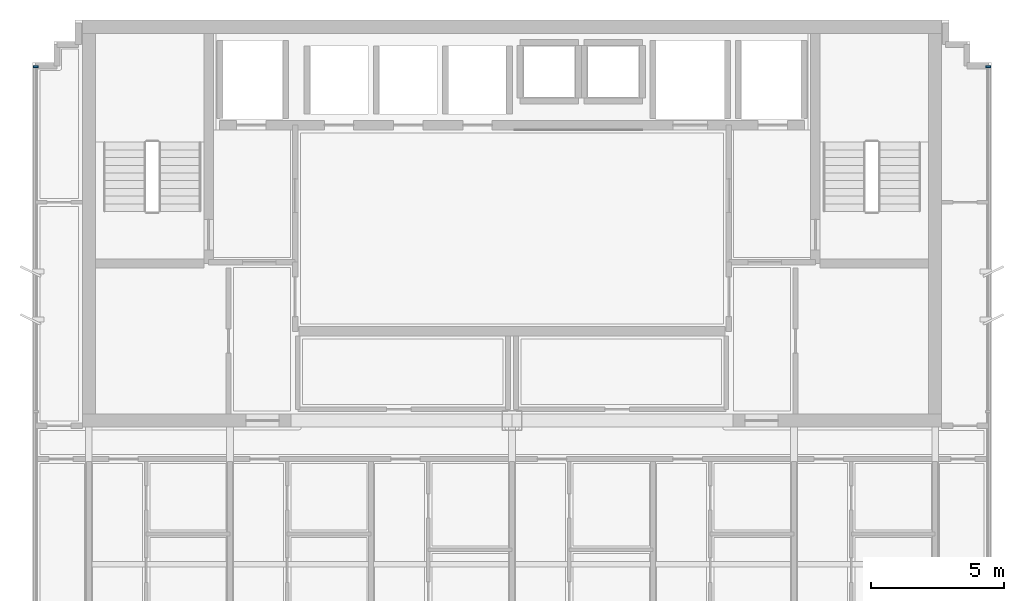
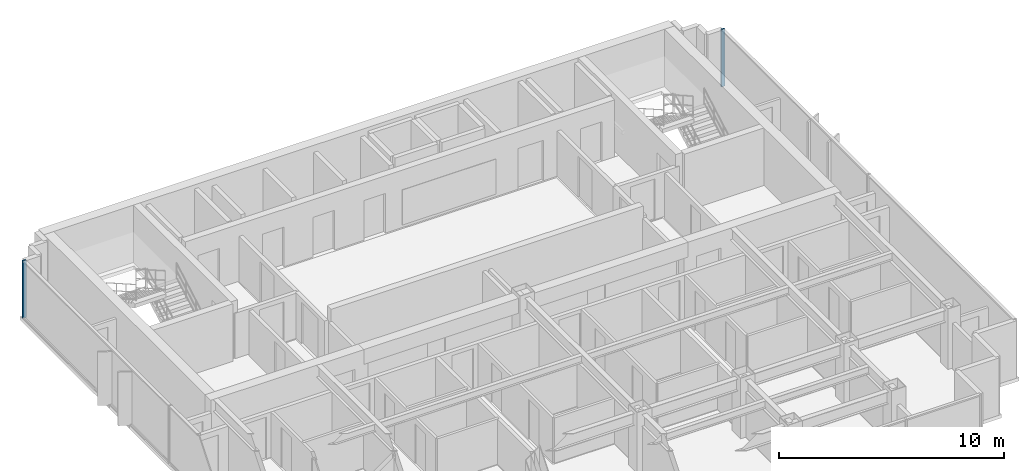
# One storey, part 4 of 10: 2 members, 2 elements without a shape of their own.
"""IFC4 building model written with IfcOpenShell, lengths in metres."""

import ifcopenshell
import ifcopenshell.guid

model = None  # the IFC model being written
_history = None  # IfcOwnerHistory: only IFC2X3 demands one
_inside = {}  # id of a spatial element -> (the spatial element, [elements in it])
_under = {}  # id of a project, library or spatial element -> (it, [spatial elements below it])
_declared = {}  # id of a project -> (the project, [libraries it declares])
_typed = {}  # id of a type object -> (the type object, [elements of that type])
_made_of = {}  # id of a material, layer set ... -> (it, [elements and type objects made of it])


def new_model(schema):
    """Start an empty IFC model of exactly this schema.

    Asked for "IFC4X3", IfcOpenShell would pick the latest addendum, in which some entities
    have other attributes; the version numbers below select the first issue.
    IFC2X3 requires an IfcOwnerHistory on every rooted entity: one is made here for all.
    """
    global model, _history
    if schema == "IFC4X3":
        model = ifcopenshell.file(schema_version=(4, 3, 0, 0))
    else:
        model = ifcopenshell.file(schema=schema)
    _inside.clear()
    _under.clear()
    _declared.clear()
    _typed.clear()
    _made_of.clear()
    _history = None
    if model.schema == "IFC2X3":
        org = make("IfcOrganization", Name="unknown")
        user = make(
            "IfcPersonAndOrganization",
            ThePerson=make("IfcPerson", FamilyName="unknown"),
            TheOrganization=org,
        )
        app = make(
            "IfcApplication",
            ApplicationDeveloper=org,
            Version="unknown",
            ApplicationFullName="unknown",
            ApplicationIdentifier="unknown",
        )
        _history = make(
            "IfcOwnerHistory",
            OwningUser=user,
            OwningApplication=app,
            ChangeAction="ADDED",
            CreationDate=0,
        )
    return model


def make(cls, **values):
    """One entity of the class cls with the attributes given. An attribute that is None is left unset."""
    return model.create_entity(
        cls, **{name: value for name, value in values.items() if value is not None}
    )


def rooted(cls, **values):
    """An entity with a GlobalId (a new one), such as an element, a storey or a relation."""
    return make(cls, GlobalId=ifcopenshell.guid.new(), OwnerHistory=_history, **values)


def si_unit(unit_type, name, prefix=None):
    """IfcSIUnit, for example si_unit("LENGTHUNIT", "METRE", prefix="MILLI")."""
    return make("IfcSIUnit", UnitType=unit_type, Prefix=prefix, Name=name)


def assignment(units):
    """IfcUnitAssignment: the units of a project."""
    return None if units is None else make("IfcUnitAssignment", Units=units)


def point(xyz):
    """IfcCartesianPoint."""
    return None if xyz is None else make("IfcCartesianPoint", Coordinates=xyz)


def direction(xyz):
    """IfcDirection."""
    return None if xyz is None else make("IfcDirection", DirectionRatios=xyz)


def frame(location, z_axis=None, x_axis=None):
    """IfcAxis2Placement3D, a coordinate frame: its origin and axes. An axis left out is left unset."""
    return make(
        "IfcAxis2Placement3D",
        Location=point(location),
        Axis=direction(z_axis),
        RefDirection=direction(x_axis),
    )


def frame_2d(location, x_axis=None):
    """IfcAxis2Placement2D, a coordinate frame in the plane: its origin and x axis."""
    return make(
        "IfcAxis2Placement2D", Location=point(location), RefDirection=direction(x_axis)
    )


def origin():
    """The frame at (0, 0, 0) with its axes left unset."""
    return frame((0.0, 0.0, 0.0))


def origin_2d():
    """The frame at (0, 0) in the plane with its x axis left unset."""
    return frame_2d((0.0, 0.0))


def place(relative_to, where):
    """IfcLocalPlacement: puts the frame where relative to a parent placement (None: the world)."""
    return make(
        "IfcLocalPlacement", PlacementRelTo=relative_to, RelativePlacement=where
    )


def context(
    kind, dimensions, precision=None, world=None, true_north=None, identifier=None
):
    """IfcGeometricRepresentationContext, for example the 3D "Model" context."""
    return make(
        "IfcGeometricRepresentationContext",
        ContextIdentifier=identifier,
        ContextType=kind,
        CoordinateSpaceDimension=dimensions,
        Precision=precision,
        WorldCoordinateSystem=world,
        TrueNorth=true_north,
    )


def subcontext(parent, identifier, kind, view, scale=None):
    """IfcGeometricRepresentationSubContext, for example "Body" below "Model"."""
    return make(
        "IfcGeometricRepresentationSubContext",
        ContextIdentifier=identifier,
        ContextType=kind,
        ParentContext=parent,
        TargetScale=scale,
        TargetView=view,
    )


def project(units=None, contexts=None):
    """IfcProject with its units and contexts."""
    return rooted(
        "IfcProject",
        Name="project",
        RepresentationContexts=contexts,
        UnitsInContext=assignment(units),
    )


def spatial(cls, under=None, at=None, **own):
    """A site, building, storey or space (cls), placed at a placement, below another one or the project."""
    s = rooted(cls, ObjectPlacement=at, **own)
    if under is not None:
        _under.setdefault(under.id(), (under, []))[1].append(s)
    return s


def profile(cls, at=None, kind="AREA", **sizes):
    """A parametric profile (cls). Its sizes go by their IFC names, for example OverallWidth=200.0."""
    return make(cls, ProfileType=kind, Position=at, **sizes)


def rectangle(**sizes):
    """IfcRectangleProfileDef."""
    return profile("IfcRectangleProfileDef", **sizes)


def extrude(swept, where, along, depth):
    """IfcExtrudedAreaSolid: the profile swept, set in the frame where, extruded along a direction by depth."""
    return make(
        "IfcExtrudedAreaSolid",
        SweptArea=swept,
        Position=where,
        ExtrudedDirection=direction(along),
        Depth=depth,
    )


def shape(context_of_items, identifier, shape_type, items):
    """IfcShapeRepresentation: the items that make up one representation, for example the "Body"."""
    return make(
        "IfcShapeRepresentation",
        ContextOfItems=context_of_items,
        RepresentationIdentifier=identifier,
        RepresentationType=shape_type,
        Items=items,
    )


def source(mapping_origin, context_of_items, identifier, shape_type, items):
    """IfcRepresentationMap: a shape defined once, which mapped items show again and again."""
    return make(
        "IfcRepresentationMap",
        MappingOrigin=mapping_origin,
        MappedRepresentation=shape(context_of_items, identifier, shape_type, items),
    )


def transform(
    local_origin,
    x_axis=None,
    y_axis=None,
    z_axis=None,
    scale=None,
    scale2=None,
    scale3=None,
    uniform=True,
):
    """IfcCartesianTransformationOperator3D, or its non-uniform kind. x_axis, y_axis, z_axis: its Axis1, 2, 3."""
    if uniform:
        return make(
            "IfcCartesianTransformationOperator3D",
            Axis1=direction(x_axis),
            Axis2=direction(y_axis),
            LocalOrigin=point(local_origin),
            Scale=scale,
            Axis3=direction(z_axis),
        )
    return make(
        "IfcCartesianTransformationOperator3DnonUniform",
        Axis1=direction(x_axis),
        Axis2=direction(y_axis),
        LocalOrigin=point(local_origin),
        Scale=scale,
        Axis3=direction(z_axis),
        Scale2=scale2,
        Scale3=scale3,
    )


def mapped(mapping_source, mapping_target):
    """IfcMappedItem: shows the shape of a source again, moved by a transform."""
    return make(
        "IfcMappedItem", MappingSource=mapping_source, MappingTarget=mapping_target
    )


def material(Name=None, Category=None):
    """IfcMaterial."""
    return make("IfcMaterial", Name=Name, Category=Category)


def layer(
    of_material, thickness, ventilated=None, Name=None, Category=None, Priority=None
):
    """IfcMaterialLayer: one layer of a wall or slab, of a material (None: an air gap)."""
    return make(
        "IfcMaterialLayer",
        Material=of_material,
        LayerThickness=thickness,
        IsVentilated=ventilated,
        Name=Name,
        Category=Category,
        Priority=Priority,
    )


def layer_set(layers, Name=None):
    """IfcMaterialLayerSet."""
    return make("IfcMaterialLayerSet", MaterialLayers=layers, LayerSetName=Name)


def material_profile(
    of_material, cross_section, Name=None, Category=None, Priority=None
):
    """IfcMaterialProfile: a cross section and its material."""
    return make(
        "IfcMaterialProfile",
        Name=Name,
        Material=of_material,
        Profile=cross_section,
        Priority=Priority,
        Category=Category,
    )


def profile_set(profiles, Name=None, composite=None):
    """IfcMaterialProfileSet."""
    return make(
        "IfcMaterialProfileSet",
        Name=Name,
        MaterialProfiles=profiles,
        CompositeProfile=composite,
    )


def made_of(thing, what):
    """Note that an element or type object is made of a material, layer set ...; save() writes the relation."""
    if what is not None:
        _made_of.setdefault(what.id(), (what, []))[1].append(thing)
    return thing


def type_object(cls, material=None, **own):
    """A type object (cls), such as IfcWallType, which elements share."""
    return made_of(rooted(cls, **own), material)


def element(
    cls,
    number,
    at=None,
    inside=None,
    cuts=None,
    type_object=None,
    material=None,
    context=None,
    identifier="Body",
    shape_type=None,
    held_by="IfcProductDefinitionShape",
    body=None,
    shapes=None,
    **own,
):
    """One element of the class cls, such as IfcWall. Its Tag is "e" and its number.

    at: its placement. inside: the storey or other place that contains it. cuts: it is an
    opening in that element (IfcRelVoidsElement). A single representation is given by context,
    identifier, shape_type and body (its items); several are given by shapes. held_by: the class
    of the entity that holds the representations. save() writes the other relations.
    """
    e = rooted(cls, Tag="e%d" % number, ObjectPlacement=at, **own)
    if body is not None:
        shapes = [shape(context, identifier, shape_type, body)]
    if shapes is not None:
        e.Representation = make(held_by, Representations=shapes)
    if inside is not None:
        _inside.setdefault(inside.id(), (inside, []))[1].append(e)
    if cuts is not None:
        rooted(
            "IfcRelVoidsElement", RelatingBuildingElement=cuts, RelatedOpeningElement=e
        )
    if type_object is not None:
        _typed.setdefault(type_object.id(), (type_object, []))[1].append(e)
    return made_of(e, material)


def aggregate(whole, parts):
    """IfcRelAggregates: a whole, such as a stair, and the parts it consists of."""
    return rooted("IfcRelAggregates", RelatingObject=whole, RelatedObjects=parts)


def save(model, path):
    """Write the relations noted so far, then the file.

    IfcRelAggregates (storeys below a building ...), IfcRelContainedInSpatialStructure (elements
    in a storey), IfcRelDefinesByType, IfcRelAssociatesMaterial and IfcRelDeclares: one each for
    every whole, place, type object, material and project.
    """
    for whole, parts in _under.values():
        aggregate(whole, parts)
    for where, things in _inside.values():
        rooted(
            "IfcRelContainedInSpatialStructure",
            RelatedElements=things,
            RelatingStructure=where,
        )
    for kind, things in _typed.values():
        rooted("IfcRelDefinesByType", RelatedObjects=things, RelatingType=kind)
    for what, things in _made_of.values():
        rooted("IfcRelAssociatesMaterial", RelatedObjects=things, RelatingMaterial=what)
    for by, libraries in _declared.values():
        rooted("IfcRelDeclares", RelatingContext=by, RelatedDefinitions=libraries)
    model.write(path)


model = new_model("IFC4")

# Units and contexts
model_context = context("Model", 3, precision=1e-05, world=origin(), true_north=direction((0.0, 1.0)))
body_context = subcontext(model_context, "Body", "Model", "MODEL_VIEW")
ifc_project = project(units=[si_unit("LENGTHUNIT", "METRE"), si_unit("AREAUNIT", "SQUARE_METRE"), si_unit("VOLUMEUNIT", "CUBIC_METRE"), si_unit("PLANEANGLEUNIT", "RADIAN"), si_unit("MASSUNIT", "GRAM", prefix="KILO")], contexts=[model_context])

# Site, building, storey
site_placement = place(None, origin())
site = spatial("IfcSite", under=ifc_project, at=site_placement, CompositionType="ELEMENT")
building_placement = place(site_placement, origin())
building = spatial("IfcBuilding", under=site, at=building_placement, Name="Qianlan Lanfeng Residences", CompositionType="ELEMENT")
storey_placement = place(building_placement, frame((0.0, 0.0, 236.300048828125)))
storey = spatial("IfcBuildingStorey", under=building, at=storey_placement, Name="L65", CompositionType="ELEMENT", Elevation=236.300048828125)

# Curtain wall, member
ifc_material = material(Name="Anodised Bronze Aluminium 6063-T6", Category="aluminium")
ifc_layer = layer(ifc_material, 0.219970703125)
ifc_layer_set = layer_set([ifc_layer], Name="Anodised Bronze Aluminium 6063-T6")
curtain_wall_type = type_object("IfcCurtainWallType", Name="CW-06", PredefinedType="NOTDEFINED", material=ifc_layer_set)
curtain_wall_1_placement = place(storey_placement, origin())
curtain_wall_1 = element("IfcCurtainWall", 1, at=curtain_wall_1_placement, inside=storey, type_object=curtain_wall_type, Name="L65 Unitised Curtain Wall CWR-L65-03 (CW-06)", PredefinedType="NOTDEFINED")
ifc_material_profile = material_profile(ifc_material, rectangle(XDim=0.074951171875, YDim=0.179931640625, at=origin_2d()), Name="ALU MULLION 75x180")
ifc_profile_set = profile_set([ifc_material_profile], Name="Anodised Bronze Aluminium 6063-T6")
member_type = type_object("IfcMemberType", Name="CWM-180", PredefinedType="MULLION", material=ifc_profile_set)
shared_shape = source(origin(), body_context, "Body", "SweptSolid", [
    extrude(rectangle(XDim=0.074951171875, YDim=0.179931640625, at=origin_2d()), origin(), (0.0, 0.0, 1.0), 3.10986328125),
])
member_1_placement = place(storey_placement, frame((44.39990234375, 38.492431640625, 0.0), z_axis=(0.0, 0.0, 1.0), x_axis=(0.0, 1.0, 0.0)))
member_1 = element("IfcMember", 2, at=member_1_placement, type_object=member_type, Name="CWR-L65-03 Mullion 3", PredefinedType="MULLION", context=body_context, shape_type="MappedRepresentation", body=[
    mapped(shared_shape, transform((0.0, 0.0, 0.0), scale=1.0)),
])
aggregate(curtain_wall_1, [member_1])

curtain_wall_2_placement = place(storey_placement, origin())
curtain_wall_2 = element("IfcCurtainWall", 3, at=curtain_wall_2_placement, inside=storey, type_object=curtain_wall_type, Name="L65 Unitised Curtain Wall CWR-L65-04 (CW-06)", PredefinedType="NOTDEFINED")
member_2_placement = place(storey_placement, frame((8.60009765625, 38.492431640625, 0.0), z_axis=(0.0, 0.0, 1.0), x_axis=(0.0, -1.0, 0.0)))
member_2 = element("IfcMember", 4, at=member_2_placement, type_object=member_type, Name="CWR-L65-04 Mullion 1", PredefinedType="MULLION", context=body_context, shape_type="MappedRepresentation", body=[
    mapped(shared_shape, transform((0.0, 0.0, 0.0), scale=1.0)),
])
aggregate(curtain_wall_2, [member_2])

save(model, "model.ifc")
